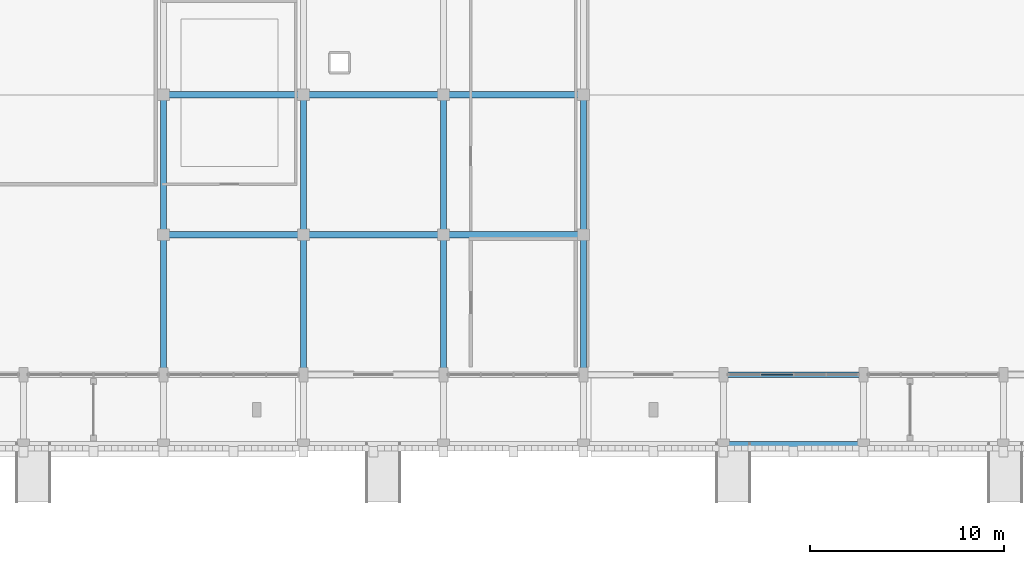
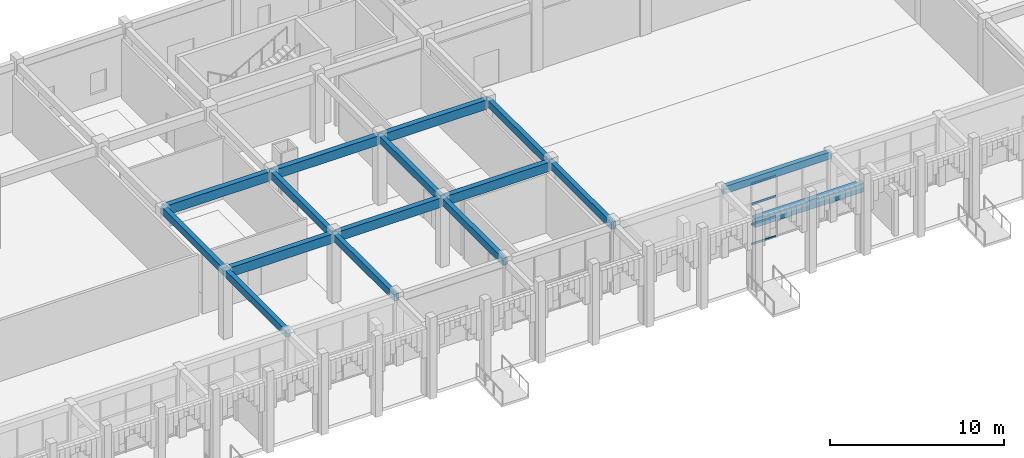
# One storey, part 16 of 72: 16 beams, 4 members, 1 element without a shape of its own.
"""IFC4 building model written with IfcOpenShell, lengths in metres."""

from ifc_helpers import new_model, si_unit, direction, frame, origin, origin_2d, place, context, subcontext, project, spatial, rectangle, extrude, material, material_profile, profile_set, type_object, element, aggregate, save


model = new_model("IFC4")

# Units and contexts
model_context = context("Model", 3, precision=1e-05, world=origin(), true_north=direction((0.0, 1.0)))
body_context = subcontext(model_context, "Body", "Model", "MODEL_VIEW")
ifc_project = project(units=[si_unit("LENGTHUNIT", "METRE"), si_unit("AREAUNIT", "SQUARE_METRE"), si_unit("VOLUMEUNIT", "CUBIC_METRE"), si_unit("PLANEANGLEUNIT", "RADIAN"), si_unit("MASSUNIT", "GRAM", prefix="KILO")], contexts=[model_context])

# Site, building, storey
site_placement = place(None, origin())
site = spatial("IfcSite", under=ifc_project, at=site_placement, CompositionType="ELEMENT")
building_placement = place(site_placement, origin())
building = spatial("IfcBuilding", under=site, at=building_placement, Name="Nzembalo Square Collegiate School", CompositionType="ELEMENT")
storey_placement = place(building_placement, origin())
storey = spatial("IfcBuildingStorey", under=building, at=storey_placement, Name="L00", CompositionType="ELEMENT", Elevation=0.0)

# Beams
ifc_material_1 = material(Name="Concrete C35/45", Category="concrete")
ifc_material_profile_1 = material_profile(ifc_material_1, rectangle(XDim=0.35009765625, YDim=0.64990234375, at=origin_2d()), Name="RC 350x650")
ifc_profile_set_1 = profile_set([ifc_material_profile_1], Name="Concrete C35/45")
beam_type_1 = type_object("IfcBeamType", Name="B01", PredefinedType="BEAM", material=ifc_profile_set_1)
beam_1_placement = place(storey_placement, frame((98.39990234375, 79.199951171875, 4.465087890625), z_axis=(1.0, 0.0, 0.0), x_axis=(0.0, 1.0, 0.0)))
element("IfcBeam", 1, at=beam_1_placement, inside=storey, type_object=beam_type_1, Name="Beam B01 L00", PredefinedType="BEAM", context=body_context, shape_type="SweptSolid", body=[
    extrude(rectangle(XDim=0.35009765625, YDim=0.64990234375, at=origin_2d()), origin(), (0.0, 0.0, 1.0), 7.2001953125),
])
for number, where, z_axis, x_axis, name in (
    (2, (69.60009765625, 90.0, 4.465087890625), (1.0, 0.0, 0.0), (0.0, 1.0, 0.0), "Beam B01 L00"),
    (3, (76.800048828125, 90.0, 4.465087890625), (1.0, 0.0, 0.0), (0.0, 1.0, 0.0), "Beam B01 L00"),
    (4, (84.0, 90.0, 4.465087890625), (1.0, 0.0, 0.0), (0.0, 1.0, 0.0), "Beam B01 L00"),
    (5, (69.60009765625, 97.199951171875, 4.465087890625), (1.0, 0.0, 0.0), (0.0, 1.0, 0.0), "Beam B01 L00"),
    (6, (76.800048828125, 97.199951171875, 4.465087890625), (1.0, 0.0, 0.0), (0.0, 1.0, 0.0), "Beam B01 L00"),
    (7, (84.0, 97.199951171875, 4.465087890625), (1.0, 0.0, 0.0), (0.0, 1.0, 0.0), "Beam B01 L00"),
):
    element("IfcBeam", number, at=place(storey_placement, frame(where, z_axis=z_axis, x_axis=x_axis)), inside=storey, type_object=beam_type_1, Name=name, PredefinedType="BEAM", context=body_context, shape_type="SweptSolid", body=[
        extrude(rectangle(XDim=0.35009765625, YDim=0.64990234375, at=origin_2d()), origin(), (0.0, 0.0, 1.0), 7.199951171875),
    ])
ifc_material_2 = material(Name="Concrete C35/45", Category="concrete")
ifc_material_profile_2 = material_profile(ifc_material_2, rectangle(XDim=0.300048828125, YDim=0.5, at=origin_2d()), Name="RC 300x500")
ifc_profile_set_2 = profile_set([ifc_material_profile_2], Name="Concrete C35/45")
beam_type_2 = type_object("IfcBeamType", Name="B02", PredefinedType="BEAM", material=ifc_profile_set_2)
for number, where, z_axis, x_axis, name in (
    (8, (69.60009765625, 82.800048828125, 4.5400390625), (0.0, 1.0, 0.0), (-1.0, 0.0, 0.0), "Beam B02 L00"),
    (9, (69.60009765625, 90.0, 4.5400390625), (0.0, 1.0, 0.0), (-1.0, 0.0, 0.0), "Beam B02 L00"),
    (10, (76.800048828125, 82.800048828125, 4.5400390625), (0.0, 1.0, 0.0), (-1.0, 0.0, 0.0), "Beam B02 L00"),
    (11, (76.800048828125, 90.0, 4.5400390625), (0.0, 1.0, 0.0), (-1.0, 0.0, 0.0), "Beam B02 L00"),
    (12, (84.0, 82.800048828125, 4.5400390625), (0.0, 1.0, 0.0), (-1.0, 0.0, 0.0), "Beam B02 L00"),
    (13, (84.0, 90.0, 4.5400390625), (0.0, 1.0, 0.0), (-1.0, 0.0, 0.0), "Beam B02 L00"),
    (14, (91.199951171875, 82.800048828125, 4.5400390625), (0.0, 1.0, 0.0), (-1.0, 0.0, 0.0), "Beam B02 L00"),
    (15, (91.199951171875, 90.0, 4.5400390625), (0.0, 1.0, 0.0), (-1.0, 0.0, 0.0), "Beam B02 L00"),
):
    element("IfcBeam", number, at=place(storey_placement, frame(where, z_axis=z_axis, x_axis=x_axis)), inside=storey, type_object=beam_type_2, Name=name, PredefinedType="BEAM", context=body_context, shape_type="SweptSolid", body=[
        extrude(rectangle(XDim=0.300048828125, YDim=0.5, at=origin_2d()), origin(), (0.0, 0.0, 1.0), 7.199951171875),
    ])
ifc_material_3 = material(Name="Concrete C35/45", Category="concrete")
ifc_material_profile_3 = material_profile(ifc_material_3, rectangle(XDim=0.300048828125, YDim=0.5, at=origin_2d()), Name="RC 300x500")
ifc_profile_set_3 = profile_set([ifc_material_profile_3], Name="Concrete C35/45")
beam_type_3 = type_object("IfcBeamType", Name="SP01", PredefinedType="SPANDREL", material=ifc_profile_set_3)
beam_2_placement = place(storey_placement, frame((98.39990234375, 82.800048828125, 4.5400390625), z_axis=(1.0, 0.0, 0.0), x_axis=(0.0, 1.0, 0.0)))
element("IfcBeam", 16, at=beam_2_placement, inside=storey, type_object=beam_type_3, Name="Beam SP01 L00", PredefinedType="SPANDREL", context=body_context, shape_type="SweptSolid", body=[
    extrude(rectangle(XDim=0.300048828125, YDim=0.5, at=origin_2d()), origin(), (0.0, 0.0, 1.0), 7.2001953125),
])

# Curtain wall, members
ifc_material_4 = material(Name="Aluminium 6060-T66", Category="aluminium")
curtain_wall_type = type_object("IfcCurtainWallType", Name="CW-01", PredefinedType="USERDEFINED", material=ifc_material_4)
curtain_wall_placement = place(storey_placement, origin())
curtain_wall = element("IfcCurtainWall", 17, at=curtain_wall_placement, inside=storey, type_object=curtain_wall_type, Name="Curtain wall CW-01 cw:L00:032", ObjectType="UNITISED", PredefinedType="USERDEFINED")
ifc_material_5 = material(Name="Aluminium 6060-T66", Category="aluminium")
ifc_material_profile_4 = material_profile(ifc_material_5, rectangle(XDim=0.06005859375, YDim=0.139892578125, at=origin_2d()), Name="ALU T60x140")
ifc_profile_set_4 = profile_set([ifc_material_profile_4], Name="Aluminium 6060-T66")
member_type = type_object("IfcMemberType", Name="TR01", PredefinedType="USERDEFINED", material=ifc_profile_set_4)
member_1_placement = place(storey_placement, frame((100.343505859375, 82.800048828125, 0.030029296875), z_axis=(1.0, 0.0, 0.0), x_axis=(0.0, 1.0, 0.0)))
member_1 = element("IfcMember", 18, at=member_1_placement, type_object=member_type, Name="TR01 transom 1-2", ObjectType="TRANSOM", PredefinedType="USERDEFINED", context=body_context, shape_type="SweptSolid", body=[
    extrude(rectangle(XDim=0.06005859375, YDim=0.139892578125, at=origin_2d()), origin(), (0.0, 0.0, 1.0), 1.62646484375),
])
member_2_placement = place(storey_placement, frame((100.343505859375, 82.800048828125, 1.427978515625), z_axis=(1.0, 0.0, 0.0), x_axis=(0.0, 1.0, 0.0)))
member_2 = element("IfcMember", 19, at=member_2_placement, type_object=member_type, Name="TR01 transom 2-2", ObjectType="TRANSOM", PredefinedType="USERDEFINED", context=body_context, shape_type="SweptSolid", body=[
    extrude(rectangle(XDim=0.06005859375, YDim=0.139892578125, at=origin_2d()), origin(), (0.0, 0.0, 1.0), 1.62646484375),
])
member_3_placement = place(storey_placement, frame((100.343505859375, 82.800048828125, 2.85595703125), z_axis=(1.0, 0.0, 0.0), x_axis=(0.0, 1.0, 0.0)))
member_3 = element("IfcMember", 20, at=member_3_placement, type_object=member_type, Name="TR01 transom 3-2", ObjectType="TRANSOM", PredefinedType="USERDEFINED", context=body_context, shape_type="SweptSolid", body=[
    extrude(rectangle(XDim=0.06005859375, YDim=0.139892578125, at=origin_2d()), origin(), (0.0, 0.0, 1.0), 1.62646484375),
])
member_4_placement = place(storey_placement, frame((100.343505859375, 82.800048828125, 4.25390625), z_axis=(1.0, 0.0, 0.0), x_axis=(0.0, 1.0, 0.0)))
member_4 = element("IfcMember", 21, at=member_4_placement, type_object=member_type, Name="TR01 transom 4-2", ObjectType="TRANSOM", PredefinedType="USERDEFINED", context=body_context, shape_type="SweptSolid", body=[
    extrude(rectangle(XDim=0.06005859375, YDim=0.139892578125, at=origin_2d()), origin(), (0.0, 0.0, 1.0), 1.62646484375),
])
aggregate(curtain_wall, [member_1, member_2, member_3, member_4])

save(model, "model.ifc")
